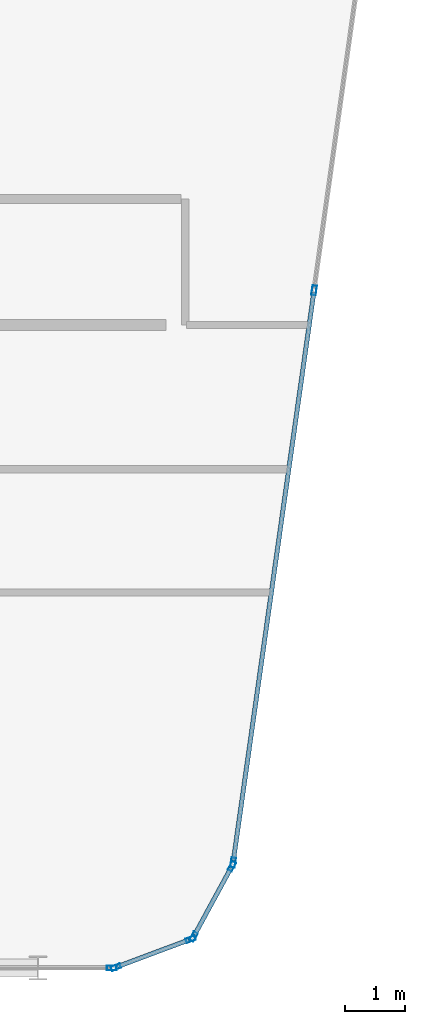
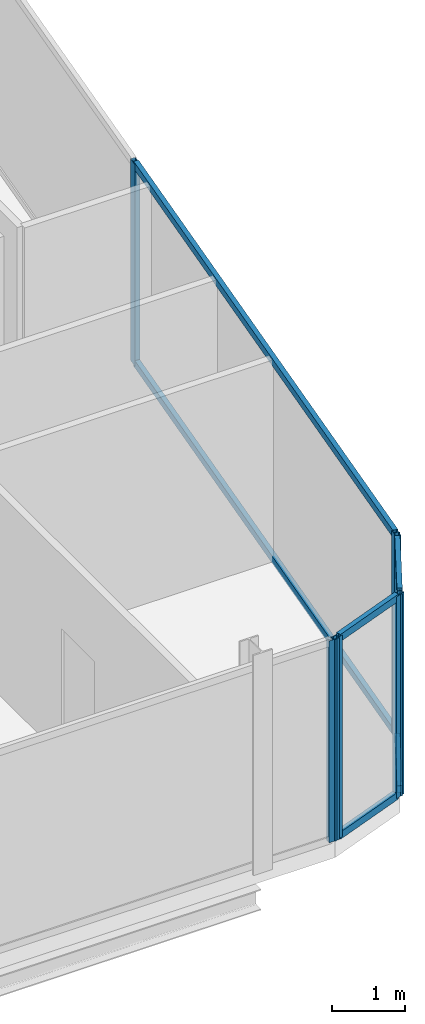
# One storey, part 12 of 27: 13 members, 4 elements without a shape of their own.
"""IFC4 building model written with IfcOpenShell, lengths in metres."""

from ifc_helpers import new_model, si_unit, direction, frame, origin, origin_2d, place, context, subcontext, project, spatial, hollow_rectangle, extrude, material, layer, layer_set, material_profile, profile_set, type_object, element, aggregate, save


model = new_model("IFC4")

# Units and contexts
model_context = context("Model", 3, precision=1e-05, world=origin(), true_north=direction((0.0, 1.0)))
body_context = subcontext(model_context, "Body", "Model", "MODEL_VIEW")
ifc_project = project(units=[si_unit("LENGTHUNIT", "METRE"), si_unit("AREAUNIT", "SQUARE_METRE"), si_unit("VOLUMEUNIT", "CUBIC_METRE"), si_unit("PLANEANGLEUNIT", "RADIAN"), si_unit("MASSUNIT", "GRAM", prefix="KILO")], contexts=[model_context])

# Site, building, storey
site_placement = place(None, origin())
site = spatial("IfcSite", under=ifc_project, at=site_placement, CompositionType="ELEMENT")
building_placement = place(site_placement, origin())
building = spatial("IfcBuilding", under=site, at=building_placement, Name="Keshet Zoharim Tower", CompositionType="ELEMENT")
storey_placement = place(building_placement, frame((0.0, 0.0, 262.10009765625)))
storey = spatial("IfcBuildingStorey", under=building, at=storey_placement, Name="L65", CompositionType="ELEMENT", Elevation=262.10009765625)

# Curtain wall, members
ifc_material = material(Name="Aluminium 6063-T6", Category="aluminium")
ifc_layer = layer(ifc_material, 0.260009765625)
ifc_layer_set = layer_set([ifc_layer], Name="Aluminium 6063-T6")
curtain_wall_type = type_object("IfcCurtainWallType", Name="CW-SYS-06", PredefinedType="NOTDEFINED", material=ifc_layer_set)
curtain_wall_1_placement = place(storey_placement, origin())
curtain_wall_1 = element("IfcCurtainWall", 1, at=curtain_wall_1_placement, inside=storey, type_object=curtain_wall_type, Name="L65 Unitised Curtain Wall 11", PredefinedType="NOTDEFINED")
ifc_material_profile_1 = material_profile(ifc_material, hollow_rectangle(XDim=0.074951171875, YDim=0.159912109375, WallThickness=0.00390625, at=origin_2d()), Name="MUL-75x160")
ifc_profile_set_1 = profile_set([ifc_material_profile_1], Name="Aluminium 6063-T6")
member_type_1 = type_object("IfcMemberType", Name="CWM-M15", PredefinedType="MULLION", material=ifc_profile_set_1)
member_1_placement = place(storey_placement, frame((43.595458984375, 17.97607421875, 0.0), z_axis=(0.0, 0.0, 1.0), x_axis=(0.990132057422, -0.140137464177, 0.0)))
member_1 = element("IfcMember", 2, at=member_1_placement, type_object=member_type_1, Name="CW-06 mullion 2", PredefinedType="MULLION", context=body_context, shape_type="SweptSolid", body=[
    extrude(hollow_rectangle(XDim=0.074951171875, YDim=0.159912109375, WallThickness=0.00390625, at=origin_2d()), origin(), (0.0, 0.0, 1.0), 3.389892578125),
])
member_2_placement = place(storey_placement, frame((42.247802734375, 8.45458984375, 0.0), z_axis=(0.0, 0.0, 1.0), x_axis=(0.990132057422, -0.140137464177, 0.0)))
member_2 = element("IfcMember", 3, at=member_2_placement, type_object=member_type_1, Name="CW-06 mullion 3", PredefinedType="MULLION", context=body_context, shape_type="SweptSolid", body=[
    extrude(hollow_rectangle(XDim=0.074951171875, YDim=0.159912109375, WallThickness=0.00390625, at=origin_2d()), origin(), (0.0, 0.0, 1.0), 3.389892578125),
])

curtain_wall_2_placement = place(storey_placement, origin())
curtain_wall_2 = element("IfcCurtainWall", 4, at=curtain_wall_2_placement, inside=storey, type_object=curtain_wall_type, Name="L65 Unitised Curtain Wall 12", PredefinedType="NOTDEFINED")
member_3_placement = place(storey_placement, frame((42.226318359375, 8.38916015625, 0.0), z_axis=(0.0, 0.0, 1.0), x_axis=(0.878468125004, -0.477800955789, 0.0)))
member_3 = element("IfcMember", 5, at=member_3_placement, type_object=member_type_1, Name="CW-06 mullion 1", PredefinedType="MULLION", context=body_context, shape_type="SweptSolid", body=[
    extrude(hollow_rectangle(XDim=0.074951171875, YDim=0.159912109375, WallThickness=0.00390625, at=origin_2d()), origin(), (0.0, 0.0, 1.0), 3.389892578125),
])
member_4_placement = place(storey_placement, frame((41.5908203125, 7.220703125, 0.0), z_axis=(0.0, 0.0, 1.0), x_axis=(0.878468125004, -0.477800955789, 0.0)))
member_4 = element("IfcMember", 6, at=member_4_placement, type_object=member_type_1, Name="CW-06 mullion 2", PredefinedType="MULLION", context=body_context, shape_type="SweptSolid", body=[
    extrude(hollow_rectangle(XDim=0.074951171875, YDim=0.159912109375, WallThickness=0.00390625, at=origin_2d()), origin(), (0.0, 0.0, 1.0), 3.389892578125),
])

curtain_wall_3_placement = place(storey_placement, origin())
curtain_wall_3 = element("IfcCurtainWall", 7, at=curtain_wall_3_placement, inside=storey, type_object=curtain_wall_type, Name="L65 Unitised Curtain Wall 13", PredefinedType="NOTDEFINED")
member_5_placement = place(storey_placement, frame((41.541259765625, 7.177734375, 0.0), z_axis=(0.0, 0.0, 1.0), x_axis=(0.350105315376, -0.936710343781, 0.0)))
member_5 = element("IfcMember", 8, at=member_5_placement, type_object=member_type_1, Name="CW-06 mullion 1", PredefinedType="MULLION", context=body_context, shape_type="SweptSolid", body=[
    extrude(hollow_rectangle(XDim=0.074951171875, YDim=0.159912109375, WallThickness=0.00390625, at=origin_2d()), origin(), (0.0, 0.0, 1.0), 3.389892578125),
])
member_6_placement = place(storey_placement, frame((40.2958984375, 6.712158203125, 0.0), z_axis=(0.0, 0.0, 1.0), x_axis=(0.350105315376, -0.936710343781, 0.0)))
member_6 = element("IfcMember", 9, at=member_6_placement, type_object=member_type_1, Name="CW-06 mullion 2", PredefinedType="MULLION", context=body_context, shape_type="SweptSolid", body=[
    extrude(hollow_rectangle(XDim=0.074951171875, YDim=0.159912109375, WallThickness=0.00390625, at=origin_2d()), origin(), (0.0, 0.0, 1.0), 3.389892578125),
])

# Curtain wall, member
curtain_wall_4_placement = place(storey_placement, origin())
curtain_wall_4 = element("IfcCurtainWall", 10, at=curtain_wall_4_placement, inside=storey, type_object=curtain_wall_type, Name="L65 Unitised Curtain Wall 14", PredefinedType="NOTDEFINED")
member_7_placement = place(storey_placement, frame((40.22802734375, 6.699951171875, 0.0), z_axis=(0.0, 0.0, 1.0), x_axis=(0.0, -1.0, 0.0)))
member_7 = element("IfcMember", 11, at=member_7_placement, type_object=member_type_1, Name="CW-06 mullion 1", PredefinedType="MULLION", context=body_context, shape_type="SweptSolid", body=[
    extrude(hollow_rectangle(XDim=0.074951171875, YDim=0.159912109375, WallThickness=0.00390625, at=origin_2d()), origin(), (0.0, 0.0, 1.0), 3.389892578125),
])
aggregate(curtain_wall_4, [member_7])

# Member
ifc_material_profile_2 = material_profile(ifc_material, hollow_rectangle(XDim=0.074951171875, YDim=0.1201171875, WallThickness=0.00390625, at=origin_2d()), Name="TRN-75x120")
ifc_profile_set_2 = profile_set([ifc_material_profile_2], Name="Aluminium 6063-T6")
member_type_2 = type_object("IfcMemberType", Name="CWT-T12", PredefinedType="USERDEFINED", material=ifc_profile_set_2)
member_8_placement = place(storey_placement, frame((43.590576171875, 17.94140625, 0.034912109375), z_axis=(-0.14012154881, -0.990134309859, 0.0), x_axis=(0.990134309859, -0.14012154881, 0.0)))
member_8 = element("IfcMember", 12, at=member_8_placement, type_object=member_type_2, Name="CW-06 transom 2.1", ObjectType="TRANSOM", PredefinedType="USERDEFINED", context=body_context, shape_type="SweptSolid", body=[
    extrude(hollow_rectangle(XDim=0.074951171875, YDim=0.1201171875, WallThickness=0.00390625, at=origin_2d()), origin(), (0.0, 0.0, 1.0), 9.54638671875),
])

member_9_placement = place(storey_placement, frame((43.590576171875, 17.94140625, 3.35498046875), z_axis=(-0.14012154881, -0.990134309859, 0.0), x_axis=(0.990134309859, -0.14012154881, 0.0)))
member_9 = element("IfcMember", 13, at=member_9_placement, type_object=member_type_2, Name="CW-06 transom 2.2", ObjectType="TRANSOM", PredefinedType="USERDEFINED", context=body_context, shape_type="SweptSolid", body=[
    extrude(hollow_rectangle(XDim=0.074951171875, YDim=0.1201171875, WallThickness=0.00390625, at=origin_2d()), origin(), (0.0, 0.0, 1.0), 9.54638671875),
])

aggregate(curtain_wall_1, [member_1, member_2, member_8, member_9])

member_10_placement = place(storey_placement, frame((42.20947265625, 8.3583984375, 0.034912109375), z_axis=(-0.47779293276, -0.878472488701, 0.0), x_axis=(0.878472488701, -0.47779293276, 0.0)))
member_10 = element("IfcMember", 14, at=member_10_placement, type_object=member_type_2, Name="CW-06 transom 1.1", ObjectType="TRANSOM", PredefinedType="USERDEFINED", context=body_context, shape_type="SweptSolid", body=[
    extrude(hollow_rectangle(XDim=0.074951171875, YDim=0.1201171875, WallThickness=0.00390625, at=origin_2d()), origin(), (0.0, 0.0, 1.0), 1.260009765625),
])

member_11_placement = place(storey_placement, frame((42.20947265625, 8.3583984375, 3.35498046875), z_axis=(-0.47779293276, -0.878472488701, 0.0), x_axis=(0.878472488701, -0.47779293276, 0.0)))
member_11 = element("IfcMember", 15, at=member_11_placement, type_object=member_type_2, Name="CW-06 transom 1.2", ObjectType="TRANSOM", PredefinedType="USERDEFINED", context=body_context, shape_type="SweptSolid", body=[
    extrude(hollow_rectangle(XDim=0.074951171875, YDim=0.1201171875, WallThickness=0.00390625, at=origin_2d()), origin(), (0.0, 0.0, 1.0), 1.260009765625),
])

aggregate(curtain_wall_2, [member_3, member_4, member_10, member_11])

member_12_placement = place(storey_placement, frame((41.508544921875, 7.16552734375, 0.034912109375), z_axis=(-0.93673477759, -0.350039935512, 0.0), x_axis=(0.350039935512, -0.93673477759, 0.0)))
member_12 = element("IfcMember", 16, at=member_12_placement, type_object=member_type_2, Name="CW-06 transom 1.1", ObjectType="TRANSOM", PredefinedType="USERDEFINED", context=body_context, shape_type="SweptSolid", body=[
    extrude(hollow_rectangle(XDim=0.074951171875, YDim=0.1201171875, WallThickness=0.00390625, at=origin_2d()), origin(), (0.0, 0.0, 1.0), 1.259521484375),
])

member_13_placement = place(storey_placement, frame((41.508544921875, 7.16552734375, 3.35498046875), z_axis=(-0.93673477759, -0.350039935512, 0.0), x_axis=(0.350039935512, -0.93673477759, 0.0)))
member_13 = element("IfcMember", 17, at=member_13_placement, type_object=member_type_2, Name="CW-06 transom 1.2", ObjectType="TRANSOM", PredefinedType="USERDEFINED", context=body_context, shape_type="SweptSolid", body=[
    extrude(hollow_rectangle(XDim=0.074951171875, YDim=0.1201171875, WallThickness=0.00390625, at=origin_2d()), origin(), (0.0, 0.0, 1.0), 1.259521484375),
])

aggregate(curtain_wall_3, [member_5, member_6, member_12, member_13])

save(model, "model.ifc")
